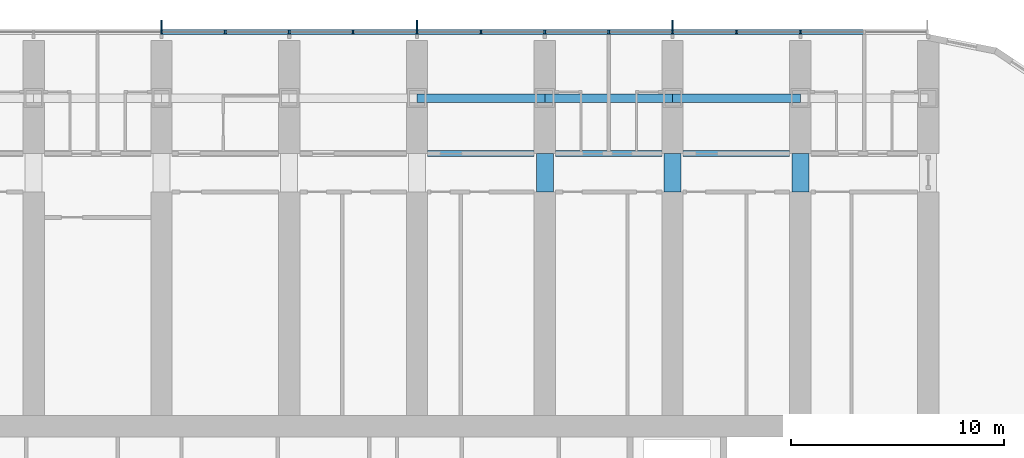
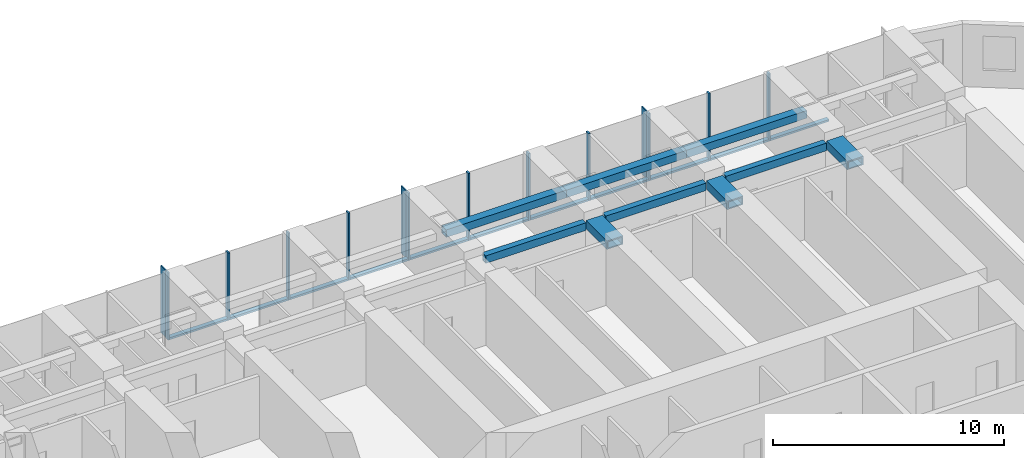
# One storey, part 5 of 23: 25 members, 9 beams, 1 element without a shape of its own.
"""IFC4 building model written with IfcOpenShell, lengths in metres."""

import ifcopenshell
import ifcopenshell.guid

model = None  # the IFC model being written
_history = None  # IfcOwnerHistory: only IFC2X3 demands one
_inside = {}  # id of a spatial element -> (the spatial element, [elements in it])
_under = {}  # id of a project, library or spatial element -> (it, [spatial elements below it])
_declared = {}  # id of a project -> (the project, [libraries it declares])
_typed = {}  # id of a type object -> (the type object, [elements of that type])
_made_of = {}  # id of a material, layer set ... -> (it, [elements and type objects made of it])


def new_model(schema):
    """Start an empty IFC model of exactly this schema.

    Asked for "IFC4X3", IfcOpenShell would pick the latest addendum, in which some entities
    have other attributes; the version numbers below select the first issue.
    IFC2X3 requires an IfcOwnerHistory on every rooted entity: one is made here for all.
    """
    global model, _history
    if schema == "IFC4X3":
        model = ifcopenshell.file(schema_version=(4, 3, 0, 0))
    else:
        model = ifcopenshell.file(schema=schema)
    _inside.clear()
    _under.clear()
    _declared.clear()
    _typed.clear()
    _made_of.clear()
    _history = None
    if model.schema == "IFC2X3":
        org = make("IfcOrganization", Name="unknown")
        user = make(
            "IfcPersonAndOrganization",
            ThePerson=make("IfcPerson", FamilyName="unknown"),
            TheOrganization=org,
        )
        app = make(
            "IfcApplication",
            ApplicationDeveloper=org,
            Version="unknown",
            ApplicationFullName="unknown",
            ApplicationIdentifier="unknown",
        )
        _history = make(
            "IfcOwnerHistory",
            OwningUser=user,
            OwningApplication=app,
            ChangeAction="ADDED",
            CreationDate=0,
        )
    return model


def make(cls, **values):
    """One entity of the class cls with the attributes given. An attribute that is None is left unset."""
    return model.create_entity(
        cls, **{name: value for name, value in values.items() if value is not None}
    )


def rooted(cls, **values):
    """An entity with a GlobalId (a new one), such as an element, a storey or a relation."""
    return make(cls, GlobalId=ifcopenshell.guid.new(), OwnerHistory=_history, **values)


def si_unit(unit_type, name, prefix=None):
    """IfcSIUnit, for example si_unit("LENGTHUNIT", "METRE", prefix="MILLI")."""
    return make("IfcSIUnit", UnitType=unit_type, Prefix=prefix, Name=name)


def assignment(units):
    """IfcUnitAssignment: the units of a project."""
    return None if units is None else make("IfcUnitAssignment", Units=units)


def point(xyz):
    """IfcCartesianPoint."""
    return None if xyz is None else make("IfcCartesianPoint", Coordinates=xyz)


def direction(xyz):
    """IfcDirection."""
    return None if xyz is None else make("IfcDirection", DirectionRatios=xyz)


def frame(location, z_axis=None, x_axis=None):
    """IfcAxis2Placement3D, a coordinate frame: its origin and axes. An axis left out is left unset."""
    return make(
        "IfcAxis2Placement3D",
        Location=point(location),
        Axis=direction(z_axis),
        RefDirection=direction(x_axis),
    )


def frame_2d(location, x_axis=None):
    """IfcAxis2Placement2D, a coordinate frame in the plane: its origin and x axis."""
    return make(
        "IfcAxis2Placement2D", Location=point(location), RefDirection=direction(x_axis)
    )


def origin():
    """The frame at (0, 0, 0) with its axes left unset."""
    return frame((0.0, 0.0, 0.0))


def origin_2d():
    """The frame at (0, 0) in the plane with its x axis left unset."""
    return frame_2d((0.0, 0.0))


def place(relative_to, where):
    """IfcLocalPlacement: puts the frame where relative to a parent placement (None: the world)."""
    return make(
        "IfcLocalPlacement", PlacementRelTo=relative_to, RelativePlacement=where
    )


def context(
    kind, dimensions, precision=None, world=None, true_north=None, identifier=None
):
    """IfcGeometricRepresentationContext, for example the 3D "Model" context."""
    return make(
        "IfcGeometricRepresentationContext",
        ContextIdentifier=identifier,
        ContextType=kind,
        CoordinateSpaceDimension=dimensions,
        Precision=precision,
        WorldCoordinateSystem=world,
        TrueNorth=true_north,
    )


def subcontext(parent, identifier, kind, view, scale=None):
    """IfcGeometricRepresentationSubContext, for example "Body" below "Model"."""
    return make(
        "IfcGeometricRepresentationSubContext",
        ContextIdentifier=identifier,
        ContextType=kind,
        ParentContext=parent,
        TargetScale=scale,
        TargetView=view,
    )


def project(units=None, contexts=None):
    """IfcProject with its units and contexts."""
    return rooted(
        "IfcProject",
        Name="project",
        RepresentationContexts=contexts,
        UnitsInContext=assignment(units),
    )


def spatial(cls, under=None, at=None, **own):
    """A site, building, storey or space (cls), placed at a placement, below another one or the project."""
    s = rooted(cls, ObjectPlacement=at, **own)
    if under is not None:
        _under.setdefault(under.id(), (under, []))[1].append(s)
    return s


def profile(cls, at=None, kind="AREA", **sizes):
    """A parametric profile (cls). Its sizes go by their IFC names, for example OverallWidth=200.0."""
    return make(cls, ProfileType=kind, Position=at, **sizes)


def rectangle(**sizes):
    """IfcRectangleProfileDef."""
    return profile("IfcRectangleProfileDef", **sizes)


def hollow_rectangle(**sizes):
    """IfcRectangleHollowProfileDef."""
    return profile("IfcRectangleHollowProfileDef", **sizes)


def extrude(swept, where, along, depth):
    """IfcExtrudedAreaSolid: the profile swept, set in the frame where, extruded along a direction by depth."""
    return make(
        "IfcExtrudedAreaSolid",
        SweptArea=swept,
        Position=where,
        ExtrudedDirection=direction(along),
        Depth=depth,
    )


def shape(context_of_items, identifier, shape_type, items):
    """IfcShapeRepresentation: the items that make up one representation, for example the "Body"."""
    return make(
        "IfcShapeRepresentation",
        ContextOfItems=context_of_items,
        RepresentationIdentifier=identifier,
        RepresentationType=shape_type,
        Items=items,
    )


def material(Name=None, Category=None):
    """IfcMaterial."""
    return make("IfcMaterial", Name=Name, Category=Category)


def material_profile(
    of_material, cross_section, Name=None, Category=None, Priority=None
):
    """IfcMaterialProfile: a cross section and its material."""
    return make(
        "IfcMaterialProfile",
        Name=Name,
        Material=of_material,
        Profile=cross_section,
        Priority=Priority,
        Category=Category,
    )


def profile_set(profiles, Name=None, composite=None):
    """IfcMaterialProfileSet."""
    return make(
        "IfcMaterialProfileSet",
        Name=Name,
        MaterialProfiles=profiles,
        CompositeProfile=composite,
    )


def made_of(thing, what):
    """Note that an element or type object is made of a material, layer set ...; save() writes the relation."""
    if what is not None:
        _made_of.setdefault(what.id(), (what, []))[1].append(thing)
    return thing


def type_object(cls, material=None, **own):
    """A type object (cls), such as IfcWallType, which elements share."""
    return made_of(rooted(cls, **own), material)


def element(
    cls,
    number,
    at=None,
    inside=None,
    cuts=None,
    type_object=None,
    material=None,
    context=None,
    identifier="Body",
    shape_type=None,
    held_by="IfcProductDefinitionShape",
    body=None,
    shapes=None,
    **own,
):
    """One element of the class cls, such as IfcWall. Its Tag is "e" and its number.

    at: its placement. inside: the storey or other place that contains it. cuts: it is an
    opening in that element (IfcRelVoidsElement). A single representation is given by context,
    identifier, shape_type and body (its items); several are given by shapes. held_by: the class
    of the entity that holds the representations. save() writes the other relations.
    """
    e = rooted(cls, Tag="e%d" % number, ObjectPlacement=at, **own)
    if body is not None:
        shapes = [shape(context, identifier, shape_type, body)]
    if shapes is not None:
        e.Representation = make(held_by, Representations=shapes)
    if inside is not None:
        _inside.setdefault(inside.id(), (inside, []))[1].append(e)
    if cuts is not None:
        rooted(
            "IfcRelVoidsElement", RelatingBuildingElement=cuts, RelatedOpeningElement=e
        )
    if type_object is not None:
        _typed.setdefault(type_object.id(), (type_object, []))[1].append(e)
    return made_of(e, material)


def aggregate(whole, parts):
    """IfcRelAggregates: a whole, such as a stair, and the parts it consists of."""
    return rooted("IfcRelAggregates", RelatingObject=whole, RelatedObjects=parts)


def save(model, path):
    """Write the relations noted so far, then the file.

    IfcRelAggregates (storeys below a building ...), IfcRelContainedInSpatialStructure (elements
    in a storey), IfcRelDefinesByType, IfcRelAssociatesMaterial and IfcRelDeclares: one each for
    every whole, place, type object, material and project.
    """
    for whole, parts in _under.values():
        aggregate(whole, parts)
    for where, things in _inside.values():
        rooted(
            "IfcRelContainedInSpatialStructure",
            RelatedElements=things,
            RelatingStructure=where,
        )
    for kind, things in _typed.values():
        rooted("IfcRelDefinesByType", RelatedObjects=things, RelatingType=kind)
    for what, things in _made_of.values():
        rooted("IfcRelAssociatesMaterial", RelatedObjects=things, RelatingMaterial=what)
    for by, libraries in _declared.values():
        rooted("IfcRelDeclares", RelatingContext=by, RelatedDefinitions=libraries)
    model.write(path)


model = new_model("IFC4")

# Units and contexts
model_context = context("Model", 3, precision=1e-05, world=origin(), true_north=direction((0.0, 1.0)))
body_context = subcontext(model_context, "Body", "Model", "MODEL_VIEW")
ifc_project = project(units=[si_unit("LENGTHUNIT", "METRE"), si_unit("AREAUNIT", "SQUARE_METRE"), si_unit("VOLUMEUNIT", "CUBIC_METRE"), si_unit("PLANEANGLEUNIT", "RADIAN"), si_unit("MASSUNIT", "GRAM", prefix="KILO")], contexts=[model_context])

# Site, building, storey
site_placement = place(None, origin())
site = spatial("IfcSite", under=ifc_project, at=site_placement, CompositionType="ELEMENT")
building_placement = place(site_placement, origin())
building = spatial("IfcBuilding", under=site, at=building_placement, Name="Orbita Commons", CompositionType="ELEMENT")
storey_placement = place(building_placement, frame((0.0, 0.0, 50.199951171875)))
storey = spatial("IfcBuildingStorey", under=building, at=storey_placement, Name="L12", CompositionType="ELEMENT", Elevation=50.199951171875)

# Curtain wall, members
ifc_material_1 = material(Name="Anodised aluminium frame, pale silver", Category="aluminium")
curtain_wall_type = type_object("IfcCurtainWallType", Name="Unitised curtain wall CW-T, vision and spandrel", PredefinedType="NOTDEFINED", material=ifc_material_1)
curtain_wall_placement = place(storey_placement, origin())
curtain_wall = element("IfcCurtainWall", 1, at=curtain_wall_placement, inside=storey, type_object=curtain_wall_type, Name="Curtain wall north L12", PredefinedType="NOTDEFINED")
ifc_material_2 = material(Name="Anodised aluminium, pale silver", Category="aluminium")
ifc_material_profile_1 = material_profile(ifc_material_2, rectangle(XDim=0.080078125, YDim=0.219970703125, at=origin_2d()), Name="AL 80x220")
ifc_profile_set_1 = profile_set([ifc_material_profile_1], Name="Anodised aluminium, pale silver")
member_type_1 = type_object("IfcMemberType", Name="Curtain wall mullion 80x220", PredefinedType="MULLION", material=ifc_profile_set_1)
member_1_placement = place(storey_placement, frame((66.0, 56.7099609375, -0.25), z_axis=(0.0, 0.0, 1.0), x_axis=(-1.0, 0.0, 0.0)))
member_1 = element("IfcMember", 2, at=member_1_placement, type_object=member_type_1, Name="Mullion 3 CW-L12-N", PredefinedType="MULLION", context=body_context, shape_type="SweptSolid", body=[
    extrude(rectangle(XDim=0.080078125, YDim=0.219970703125, at=origin_2d()), origin(), (0.0, 0.0, 1.0), 3.550048828125),
])
member_2_placement = place(storey_placement, frame((63.0, 56.7099609375, -0.25), z_axis=(0.0, 0.0, 1.0), x_axis=(-1.0, 0.0, 0.0)))
member_2 = element("IfcMember", 3, at=member_2_placement, type_object=member_type_1, Name="Mullion 4 CW-L12-N", PredefinedType="MULLION", context=body_context, shape_type="SweptSolid", body=[
    extrude(rectangle(XDim=0.080078125, YDim=0.219970703125, at=origin_2d()), origin(), (0.0, 0.0, 1.0), 3.550048828125),
])
member_3_placement = place(storey_placement, frame((60.0, 56.7099609375, -0.25), z_axis=(0.0, 0.0, 1.0), x_axis=(-1.0, 0.0, 0.0)))
member_3 = element("IfcMember", 4, at=member_3_placement, type_object=member_type_1, Name="Mullion 5 CW-L12-N", PredefinedType="MULLION", context=body_context, shape_type="SweptSolid", body=[
    extrude(rectangle(XDim=0.080078125, YDim=0.219970703125, at=origin_2d()), origin(), (0.0, 0.0, 1.0), 3.550048828125),
])
member_4_placement = place(storey_placement, frame((57.0, 56.7099609375, -0.25), z_axis=(0.0, 0.0, 1.0), x_axis=(-1.0, 0.0, 0.0)))
member_4 = element("IfcMember", 5, at=member_4_placement, type_object=member_type_1, Name="Mullion 6 CW-L12-N", PredefinedType="MULLION", context=body_context, shape_type="SweptSolid", body=[
    extrude(rectangle(XDim=0.080078125, YDim=0.219970703125, at=origin_2d()), origin(), (0.0, 0.0, 1.0), 3.550048828125),
])
member_5_placement = place(storey_placement, frame((54.0, 56.7099609375, -0.25), z_axis=(0.0, 0.0, 1.0), x_axis=(-1.0, 0.0, 0.0)))
member_5 = element("IfcMember", 6, at=member_5_placement, type_object=member_type_1, Name="Mullion 7 CW-L12-N", PredefinedType="MULLION", context=body_context, shape_type="SweptSolid", body=[
    extrude(rectangle(XDim=0.080078125, YDim=0.219970703125, at=origin_2d()), origin(), (0.0, 0.0, 1.0), 3.550048828125),
])
member_6_placement = place(storey_placement, frame((51.0, 56.7099609375, -0.25), z_axis=(0.0, 0.0, 1.0), x_axis=(-1.0, 0.0, 0.0)))
member_6 = element("IfcMember", 7, at=member_6_placement, type_object=member_type_1, Name="Mullion 8 CW-L12-N", PredefinedType="MULLION", context=body_context, shape_type="SweptSolid", body=[
    extrude(rectangle(XDim=0.080078125, YDim=0.219970703125, at=origin_2d()), origin(), (0.0, 0.0, 1.0), 3.550048828125),
])
member_7_placement = place(storey_placement, frame((48.0, 56.7099609375, -0.25), z_axis=(0.0, 0.0, 1.0), x_axis=(-1.0, 0.0, 0.0)))
member_7 = element("IfcMember", 8, at=member_7_placement, type_object=member_type_1, Name="Mullion 9 CW-L12-N", PredefinedType="MULLION", context=body_context, shape_type="SweptSolid", body=[
    extrude(rectangle(XDim=0.080078125, YDim=0.219970703125, at=origin_2d()), origin(), (0.0, 0.0, 1.0), 3.550048828125),
])
member_8_placement = place(storey_placement, frame((45.0, 56.7099609375, -0.25), z_axis=(0.0, 0.0, 1.0), x_axis=(-1.0, 0.0, 0.0)))
member_8 = element("IfcMember", 9, at=member_8_placement, type_object=member_type_1, Name="Mullion 10 CW-L12-N", PredefinedType="MULLION", context=body_context, shape_type="SweptSolid", body=[
    extrude(rectangle(XDim=0.080078125, YDim=0.219970703125, at=origin_2d()), origin(), (0.0, 0.0, 1.0), 3.550048828125),
])
member_9_placement = place(storey_placement, frame((42.0, 56.7099609375, -0.25), z_axis=(0.0, 0.0, 1.0), x_axis=(-1.0, 0.0, 0.0)))
member_9 = element("IfcMember", 10, at=member_9_placement, type_object=member_type_1, Name="Mullion 11 CW-L12-N", PredefinedType="MULLION", context=body_context, shape_type="SweptSolid", body=[
    extrude(rectangle(XDim=0.080078125, YDim=0.219970703125, at=origin_2d()), origin(), (0.0, 0.0, 1.0), 3.550048828125),
])
member_10_placement = place(storey_placement, frame((39.0, 56.7099609375, -0.25), z_axis=(0.0, 0.0, 1.0), x_axis=(-1.0, 0.0, 0.0)))
member_10 = element("IfcMember", 11, at=member_10_placement, type_object=member_type_1, Name="Mullion 12 CW-L12-N", PredefinedType="MULLION", context=body_context, shape_type="SweptSolid", body=[
    extrude(rectangle(XDim=0.080078125, YDim=0.219970703125, at=origin_2d()), origin(), (0.0, 0.0, 1.0), 3.550048828125),
])
member_11_placement = place(storey_placement, frame((36.0, 56.7099609375, -0.25), z_axis=(0.0, 0.0, 1.0), x_axis=(-1.0, 0.0, 0.0)))
member_11 = element("IfcMember", 12, at=member_11_placement, type_object=member_type_1, Name="Mullion 13 CW-L12-N", PredefinedType="MULLION", context=body_context, shape_type="SweptSolid", body=[
    extrude(rectangle(XDim=0.080078125, YDim=0.219970703125, at=origin_2d()), origin(), (0.0, 0.0, 1.0), 3.550048828125),
])
ifc_material_3 = material(Name="Anodised aluminium, pale silver", Category="aluminium")
ifc_material_profile_2 = material_profile(ifc_material_3, rectangle(XDim=0.219970703125, YDim=0.10009765625, at=origin_2d()), Name="AL 220x100")
ifc_profile_set_2 = profile_set([ifc_material_profile_2], Name="Anodised aluminium, pale silver")
member_type_2 = type_object("IfcMemberType", Name="Curtain wall stack transom 220x100", PredefinedType="USERDEFINED", material=ifc_profile_set_2)
member_12_placement = place(storey_placement, frame((68.9599609375, 56.7099609375, -0.199951171875), z_axis=(-1.0, 0.0, 0.0), x_axis=(0.0, -1.0, 0.0)))
member_12 = element("IfcMember", 13, at=member_12_placement, type_object=member_type_2, Name="Transom 2.1 CW-L12-N", ObjectType="TRANSOM", PredefinedType="USERDEFINED", context=body_context, shape_type="SweptSolid", body=[
    extrude(rectangle(XDim=0.219970703125, YDim=0.10009765625, at=origin_2d()), origin(), (0.0, 0.0, 1.0), 2.919921875),
])
member_13_placement = place(storey_placement, frame((65.9599609375, 56.7099609375, -0.199951171875), z_axis=(-1.0, 0.0, 0.0), x_axis=(0.0, -1.0, 0.0)))
member_13 = element("IfcMember", 14, at=member_13_placement, type_object=member_type_2, Name="Transom 3.1 CW-L12-N", ObjectType="TRANSOM", PredefinedType="USERDEFINED", context=body_context, shape_type="SweptSolid", body=[
    extrude(rectangle(XDim=0.219970703125, YDim=0.10009765625, at=origin_2d()), origin(), (0.0, 0.0, 1.0), 2.919921875),
])
member_14_placement = place(storey_placement, frame((62.9599609375, 56.7099609375, -0.199951171875), z_axis=(-1.0, 0.0, 0.0), x_axis=(0.0, -1.0, 0.0)))
member_14 = element("IfcMember", 15, at=member_14_placement, type_object=member_type_2, Name="Transom 4.1 CW-L12-N", ObjectType="TRANSOM", PredefinedType="USERDEFINED", context=body_context, shape_type="SweptSolid", body=[
    extrude(rectangle(XDim=0.219970703125, YDim=0.10009765625, at=origin_2d()), origin(), (0.0, 0.0, 1.0), 2.919921875),
])
member_15_placement = place(storey_placement, frame((59.9599609375, 56.7099609375, -0.199951171875), z_axis=(-1.0, 0.0, 0.0), x_axis=(0.0, -1.0, 0.0)))
member_15 = element("IfcMember", 16, at=member_15_placement, type_object=member_type_2, Name="Transom 5.1 CW-L12-N", ObjectType="TRANSOM", PredefinedType="USERDEFINED", context=body_context, shape_type="SweptSolid", body=[
    extrude(rectangle(XDim=0.219970703125, YDim=0.10009765625, at=origin_2d()), origin(), (0.0, 0.0, 1.0), 2.919921875),
])
member_16_placement = place(storey_placement, frame((56.9599609375, 56.7099609375, -0.199951171875), z_axis=(-1.0, 0.0, 0.0), x_axis=(0.0, -1.0, 0.0)))
member_16 = element("IfcMember", 17, at=member_16_placement, type_object=member_type_2, Name="Transom 6.1 CW-L12-N", ObjectType="TRANSOM", PredefinedType="USERDEFINED", context=body_context, shape_type="SweptSolid", body=[
    extrude(rectangle(XDim=0.219970703125, YDim=0.10009765625, at=origin_2d()), origin(), (0.0, 0.0, 1.0), 2.919921875),
])
member_17_placement = place(storey_placement, frame((53.9599609375, 56.7099609375, -0.199951171875), z_axis=(-1.0, 0.0, 0.0), x_axis=(0.0, -1.0, 0.0)))
member_17 = element("IfcMember", 18, at=member_17_placement, type_object=member_type_2, Name="Transom 7.1 CW-L12-N", ObjectType="TRANSOM", PredefinedType="USERDEFINED", context=body_context, shape_type="SweptSolid", body=[
    extrude(rectangle(XDim=0.219970703125, YDim=0.10009765625, at=origin_2d()), origin(), (0.0, 0.0, 1.0), 2.919921875),
])
member_18_placement = place(storey_placement, frame((50.9599609375, 56.7099609375, -0.199951171875), z_axis=(-1.0, 0.0, 0.0), x_axis=(0.0, -1.0, 0.0)))
member_18 = element("IfcMember", 19, at=member_18_placement, type_object=member_type_2, Name="Transom 8.1 CW-L12-N", ObjectType="TRANSOM", PredefinedType="USERDEFINED", context=body_context, shape_type="SweptSolid", body=[
    extrude(rectangle(XDim=0.219970703125, YDim=0.10009765625, at=origin_2d()), origin(), (0.0, 0.0, 1.0), 2.919921875),
])
member_19_placement = place(storey_placement, frame((47.9599609375, 56.7099609375, -0.199951171875), z_axis=(-1.0, 0.0, 0.0), x_axis=(0.0, -1.0, 0.0)))
member_19 = element("IfcMember", 20, at=member_19_placement, type_object=member_type_2, Name="Transom 9.1 CW-L12-N", ObjectType="TRANSOM", PredefinedType="USERDEFINED", context=body_context, shape_type="SweptSolid", body=[
    extrude(rectangle(XDim=0.219970703125, YDim=0.10009765625, at=origin_2d()), origin(), (0.0, 0.0, 1.0), 2.919921875),
])
member_20_placement = place(storey_placement, frame((44.9599609375, 56.7099609375, -0.199951171875), z_axis=(-1.0, 0.0, 0.0), x_axis=(0.0, -1.0, 0.0)))
member_20 = element("IfcMember", 21, at=member_20_placement, type_object=member_type_2, Name="Transom 10.1 CW-L12-N", ObjectType="TRANSOM", PredefinedType="USERDEFINED", context=body_context, shape_type="SweptSolid", body=[
    extrude(rectangle(XDim=0.219970703125, YDim=0.10009765625, at=origin_2d()), origin(), (0.0, 0.0, 1.0), 2.919921875),
])
member_21_placement = place(storey_placement, frame((41.9599609375, 56.7099609375, -0.199951171875), z_axis=(-1.0, 0.0, 0.0), x_axis=(0.0, -1.0, 0.0)))
member_21 = element("IfcMember", 22, at=member_21_placement, type_object=member_type_2, Name="Transom 11.1 CW-L12-N", ObjectType="TRANSOM", PredefinedType="USERDEFINED", context=body_context, shape_type="SweptSolid", body=[
    extrude(rectangle(XDim=0.219970703125, YDim=0.10009765625, at=origin_2d()), origin(), (0.0, 0.0, 1.0), 2.919921875),
])
member_22_placement = place(storey_placement, frame((38.9599609375, 56.7099609375, -0.199951171875), z_axis=(-1.0, 0.0, 0.0), x_axis=(0.0, -1.0, 0.0)))
member_22 = element("IfcMember", 23, at=member_22_placement, type_object=member_type_2, Name="Transom 12.1 CW-L12-N", ObjectType="TRANSOM", PredefinedType="USERDEFINED", context=body_context, shape_type="SweptSolid", body=[
    extrude(rectangle(XDim=0.219970703125, YDim=0.10009765625, at=origin_2d()), origin(), (0.0, 0.0, 1.0), 2.919921875),
])

# Beams
ifc_material_4 = material(Name="Steel ASTM A572 Gr 50 welded plate", Category="steel")
ifc_material_profile_3 = material_profile(ifc_material_4, hollow_rectangle(XDim=0.300048828125, YDim=0.39990234375, WallThickness=0.0400390625, at=origin_2d()), Name="BOX 400x300x40")
ifc_profile_set_3 = profile_set([ifc_material_profile_3], Name="Steel ASTM A572 Gr 50 welded plate")
beam_type_1 = type_object("IfcBeamType", Name="Steel corridor link BOX 400x300x40", PredefinedType="BEAM", material=ifc_profile_set_3)
for number, where, z_axis, x_axis, name in (
    (24, (48.5, 51.0, 3.10009765625), (1.0, 0.0, 0.0), (0.0, 1.0, 0.0), "Corridor beam NB 9-10 L12"),
    (25, (54.5, 51.0, 3.10009765625), (1.0, 0.0, 0.0), (0.0, 1.0, 0.0), "Corridor beam NB 10-11 L12"),
    (26, (60.5, 51.0, 3.10009765625), (1.0, 0.0, 0.0), (0.0, 1.0, 0.0), "Corridor beam NB 11-12 L12"),
):
    element("IfcBeam", number, at=place(storey_placement, frame(where, z_axis=z_axis, x_axis=x_axis)), inside=storey, type_object=beam_type_1, Name=name, PredefinedType="BEAM", context=body_context, shape_type="SweptSolid", body=[
        extrude(hollow_rectangle(XDim=0.300048828125, YDim=0.39990234375, WallThickness=0.0400390625, at=origin_2d()), origin(), (0.0, 0.0, 1.0), 5.0),
    ])
ifc_material_5 = material(Name="Steel ASTM A572 Gr 50 welded plate", Category="steel")
ifc_material_profile_4 = material_profile(ifc_material_5, hollow_rectangle(XDim=0.800048828125, YDim=0.449951171875, WallThickness=0.06005859375, at=origin_2d()), Name="BOX 450x800x60")
ifc_profile_set_4 = profile_set([ifc_material_profile_4], Name="Steel ASTM A572 Gr 50 welded plate")
beam_type_2 = type_object("IfcBeamType", Name="Steel coupling link BOX 450x800x60", PredefinedType="LINTEL", material=ifc_profile_set_4)
for number, where, z_axis, x_axis, name in (
    (27, (54.0, 49.199951171875, 3.074951171875), (0.0, 1.0, 0.0), (-1.0, 0.0, 0.0), "Coupling beam 10 north L12"),
    (28, (60.0, 49.199951171875, 3.074951171875), (0.0, 1.0, 0.0), (-1.0, 0.0, 0.0), "Coupling beam 11 north L12"),
    (29, (66.0, 49.199951171875, 3.074951171875), (0.0, 1.0, 0.0), (-1.0, 0.0, 0.0), "Coupling beam 12 north L12"),
):
    element("IfcBeam", number, at=place(storey_placement, frame(where, z_axis=z_axis, x_axis=x_axis)), inside=storey, type_object=beam_type_2, Name=name, PredefinedType="LINTEL", context=body_context, shape_type="SweptSolid", body=[
        extrude(hollow_rectangle(XDim=0.800048828125, YDim=0.449951171875, WallThickness=0.06005859375, at=origin_2d()), origin(), (0.0, 0.0, 1.0), 1.800048828125),
    ])
ifc_material_6 = material(Name="Steel ASTM A572 Gr 50 welded plate", Category="steel")
ifc_material_profile_5 = material_profile(ifc_material_6, hollow_rectangle(XDim=0.39990234375, YDim=0.39990234375, WallThickness=0.0400390625, at=origin_2d()), Name="BOX 400x400x40")
ifc_profile_set_5 = profile_set([ifc_material_profile_5], Name="Steel ASTM A572 Gr 50 welded plate")
beam_type_3 = type_object("IfcBeamType", Name="Steel spandrel BOX 400x400x40", PredefinedType="SPANDREL", material=ifc_profile_set_5)
for number, where, z_axis, x_axis, name in (
    (30, (48.0, 53.60009765625, 3.10009765625), (1.0, 0.0, 0.0), (0.0, 1.0, 0.0), "Spandrel beam E 9-10 L12"),
    (31, (54.0, 53.60009765625, 3.10009765625), (1.0, 0.0, 0.0), (0.0, 1.0, 0.0), "Spandrel beam E 10-11 L12"),
    (32, (60.0, 53.60009765625, 3.10009765625), (1.0, 0.0, 0.0), (0.0, 1.0, 0.0), "Spandrel beam E 11-12 L12"),
):
    element("IfcBeam", number, at=place(storey_placement, frame(where, z_axis=z_axis, x_axis=x_axis)), inside=storey, type_object=beam_type_3, Name=name, PredefinedType="SPANDREL", context=body_context, shape_type="SweptSolid", body=[
        extrude(hollow_rectangle(XDim=0.39990234375, YDim=0.39990234375, WallThickness=0.0400390625, at=origin_2d()), origin(), (0.0, 0.0, 1.0), 6.0),
    ])

# Member
ifc_material_7 = material(Name="Anodised aluminium, pale silver", Category="aluminium")
ifc_material_profile_6 = material_profile(ifc_material_7, rectangle(XDim=0.06005859375, YDim=0.449951171875, at=origin_2d()), Name="FIN 60x450")
ifc_profile_set_6 = profile_set([ifc_material_profile_6], Name="Anodised aluminium, pale silver")
member_type_3 = type_object("IfcMemberType", Name="Vertical fin 60x450 pale aluminium", PredefinedType="USERDEFINED", material=ifc_profile_set_6)
member_23_placement = place(storey_placement, frame((60.0, 57.044921875, -0.25), z_axis=(0.0, 0.0, 1.0), x_axis=(-1.0, 0.0, 0.0)))
member_23 = element("IfcMember", 33, at=member_23_placement, type_object=member_type_3, Name="Fin 5 CW-L12-N", ObjectType="FIN", PredefinedType="USERDEFINED", context=body_context, shape_type="SweptSolid", body=[
    extrude(rectangle(XDim=0.06005859375, YDim=0.449951171875, at=origin_2d()), origin(), (0.0, 0.0, 1.0), 3.550048828125),
])

member_24_placement = place(storey_placement, frame((48.0, 57.044921875, -0.25), z_axis=(0.0, 0.0, 1.0), x_axis=(-1.0, 0.0, 0.0)))
member_24 = element("IfcMember", 34, at=member_24_placement, type_object=member_type_3, Name="Fin 9 CW-L12-N", ObjectType="FIN", PredefinedType="USERDEFINED", context=body_context, shape_type="SweptSolid", body=[
    extrude(rectangle(XDim=0.06005859375, YDim=0.449951171875, at=origin_2d()), origin(), (0.0, 0.0, 1.0), 3.550048828125),
])

member_25_placement = place(storey_placement, frame((36.0, 57.044921875, -0.25), z_axis=(0.0, 0.0, 1.0), x_axis=(-1.0, 0.0, 0.0)))
member_25 = element("IfcMember", 35, at=member_25_placement, type_object=member_type_3, Name="Fin 13 CW-L12-N", ObjectType="FIN", PredefinedType="USERDEFINED", context=body_context, shape_type="SweptSolid", body=[
    extrude(rectangle(XDim=0.06005859375, YDim=0.449951171875, at=origin_2d()), origin(), (0.0, 0.0, 1.0), 3.550048828125),
])

aggregate(curtain_wall, [member_1, member_2, member_3, member_23, member_4, member_5, member_6, member_7, member_24, member_8, member_9, member_10, member_11, member_25, member_12, member_13, member_14, member_15, member_16, member_17, member_18, member_19, member_20, member_21, member_22])

save(model, "model.ifc")
